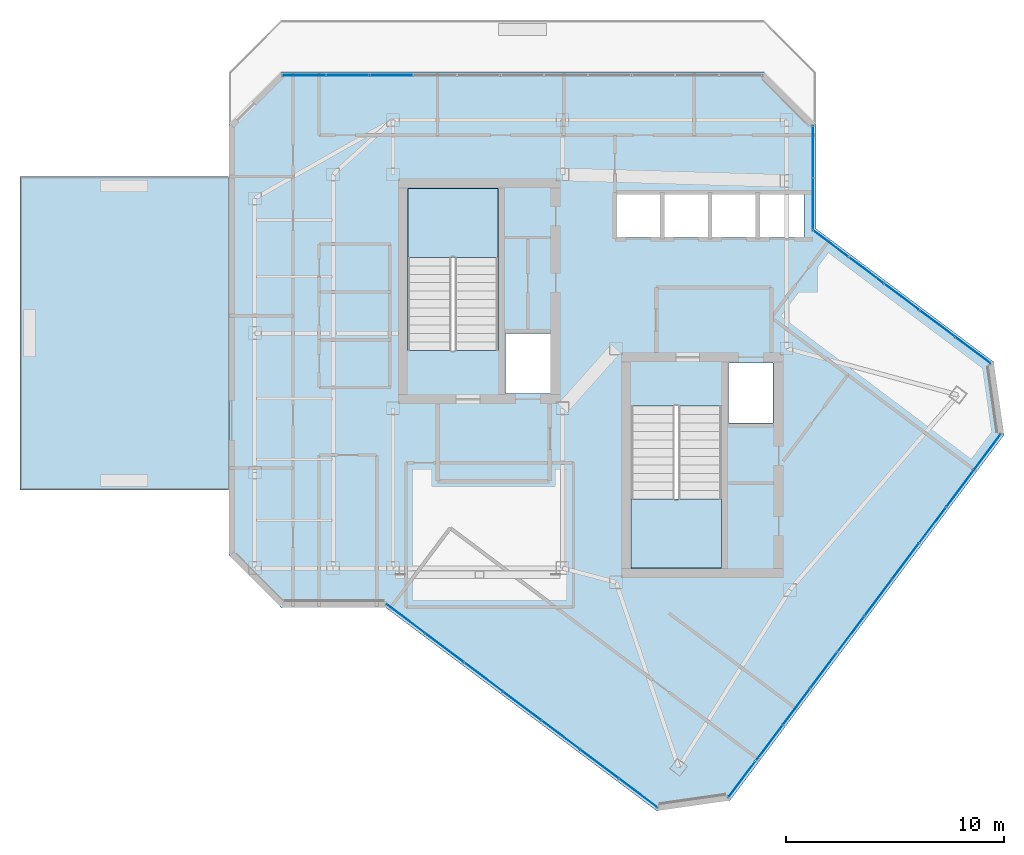
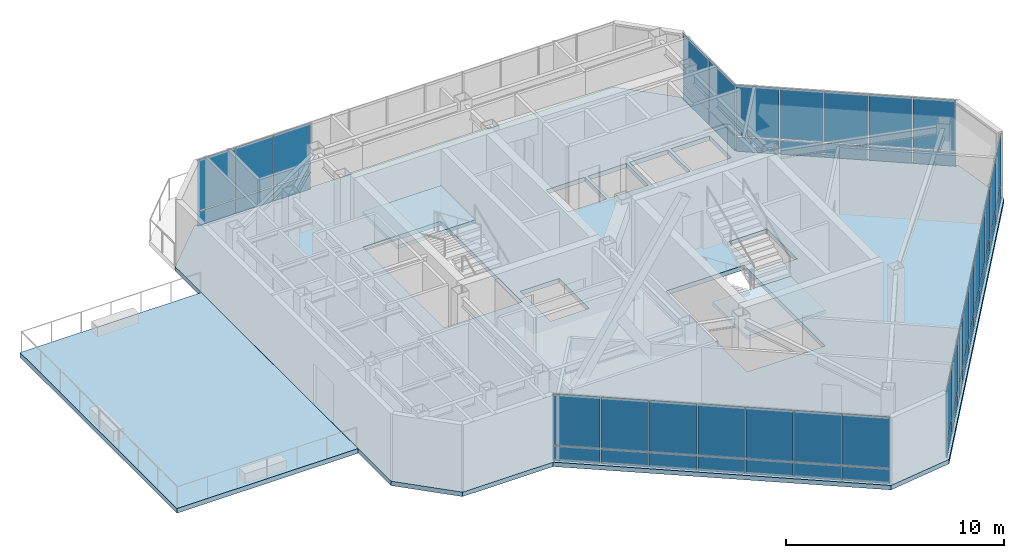
# One storey, part 14 of 21: 54 plates, 4 slabs, 7 elements without a shape of their own.
"""IFC4 building model written with IfcOpenShell, lengths in metres."""

from ifc_helpers import new_model, si_unit, direction, frame, origin, origin_2d, place, context, subcontext, project, spatial, polyline, rectangle, outline, extrude, material, layer, layer_set, type_object, element, aggregate, save


model = new_model("IFC4")

# Units and contexts
model_context = context("Model", 3, precision=1e-05, world=origin(), true_north=direction((0.0, 1.0)))
body_context = subcontext(model_context, "Body", "Model", "MODEL_VIEW")
ifc_project = project(units=[si_unit("LENGTHUNIT", "METRE"), si_unit("AREAUNIT", "SQUARE_METRE"), si_unit("VOLUMEUNIT", "CUBIC_METRE"), si_unit("PLANEANGLEUNIT", "RADIAN"), si_unit("MASSUNIT", "GRAM", prefix="KILO")], contexts=[model_context])

# Site, building, storey
site_placement = place(None, origin())
site = spatial("IfcSite", under=ifc_project, at=site_placement, CompositionType="ELEMENT")
building_placement = place(site_placement, origin())
building = spatial("IfcBuilding", under=site, at=building_placement, Name="Hatsunagi Terrace Concourse", CompositionType="ELEMENT")
storey_placement = place(building_placement, frame((0.0, 0.0, 265.949951171875)))
storey = spatial("IfcBuildingStorey", under=building, at=storey_placement, Name="L70", CompositionType="ELEMENT", Elevation=265.949951171875)

# Curtain wall, plates
ifc_material_1 = material(Name="Anodised Aluminium Alloy 6063-T5", Category="aluminium")
ifc_layer_1 = layer(ifc_material_1, 0.199951171875)
ifc_layer_set_1 = layer_set([ifc_layer_1], Name="CrownWintergarden_CW06")
curtain_wall_type = type_object("IfcCurtainWallType", Name="CrownWintergarden_CW06", PredefinedType="NOTDEFINED", material=ifc_layer_set_1)
curtain_wall_1_placement = place(storey_placement, origin())
curtain_wall_1 = element("IfcCurtainWall", 1, at=curtain_wall_1_placement, inside=storey, type_object=curtain_wall_type, Name="Unitised Curtain Wall CW-06 CW-L70-01", PredefinedType="NOTDEFINED")
ifc_material_2 = material(Name="Warm Terracotta Ceramic Spandrel Panel", Category="masonry")
ifc_layer_2 = layer(ifc_material_2, 0.031982421875)
ifc_layer_set_2 = layer_set([ifc_layer_2], Name="CurtainWallSpandrelPanel_32")
plate_type_1 = type_object("IfcPlateType", Name="CurtainWallSpandrelPanel_32", PredefinedType="SHEET", material=ifc_layer_set_2)
plate_1_placement = place(storey_placement, frame((45.677001953125, 40.116943359375, 0.030029296875), z_axis=(0.0, 0.0, 1.0), x_axis=(0.800023013105, -0.599969314634, 0.0)))
plate_1 = element("IfcPlate", 2, at=plate_1_placement, type_object=plate_type_1, Name="Terracotta Spandrel Panel SPN-01", PredefinedType="SHEET", context=body_context, shape_type="SweptSolid", body=[
    extrude(rectangle(XDim=1.987060546875, YDim=0.031982421875, at=origin_2d()), origin(), (0.0, 0.0, 1.0), 0.7900390625),
])
plate_2_placement = place(storey_placement, frame((47.31103515625, 38.89208984375, 0.030029296875), z_axis=(0.0, 0.0, 1.0), x_axis=(0.800023013105, -0.599969314634, 0.0)))
plate_2 = element("IfcPlate", 3, at=plate_2_placement, type_object=plate_type_1, Name="Terracotta Spandrel Panel SPN-01", PredefinedType="SHEET", context=body_context, shape_type="SweptSolid", body=[
    extrude(rectangle(XDim=1.987060546875, YDim=0.031982421875, at=origin_2d()), origin(), (0.0, 0.0, 1.0), 0.7900390625),
])
plate_3_placement = place(storey_placement, frame((48.945068359375, 37.666015625, 0.030029296875), z_axis=(0.0, 0.0, 1.0), x_axis=(0.800023013105, -0.599969314634, 0.0)))
plate_3 = element("IfcPlate", 4, at=plate_3_placement, type_object=plate_type_1, Name="Terracotta Spandrel Panel SPN-01", PredefinedType="SHEET", context=body_context, shape_type="SweptSolid", body=[
    extrude(rectangle(XDim=1.987060546875, YDim=0.031982421875, at=origin_2d()), origin(), (0.0, 0.0, 1.0), 0.7900390625),
])
plate_4_placement = place(storey_placement, frame((50.5791015625, 36.44091796875, 0.030029296875), z_axis=(0.0, 0.0, 1.0), x_axis=(0.800023013105, -0.599969314634, 0.0)))
plate_4 = element("IfcPlate", 5, at=plate_4_placement, type_object=plate_type_1, Name="Terracotta Spandrel Panel SPN-01", PredefinedType="SHEET", context=body_context, shape_type="SweptSolid", body=[
    extrude(rectangle(XDim=1.987060546875, YDim=0.031982421875, at=origin_2d()), origin(), (0.0, 0.0, 1.0), 0.7900390625),
])
plate_5_placement = place(storey_placement, frame((52.212890625, 35.216064453125, 0.030029296875), z_axis=(0.0, 0.0, 1.0), x_axis=(0.800023013105, -0.599969314634, 0.0)))
plate_5 = element("IfcPlate", 6, at=plate_5_placement, type_object=plate_type_1, Name="Terracotta Spandrel Panel SPN-01", PredefinedType="SHEET", context=body_context, shape_type="SweptSolid", body=[
    extrude(rectangle(XDim=1.987060546875, YDim=0.031982421875, at=origin_2d()), origin(), (0.0, 0.0, 1.0), 0.7900390625),
])

curtain_wall_2_placement = place(storey_placement, origin())
curtain_wall_2 = element("IfcCurtainWall", 7, at=curtain_wall_2_placement, inside=storey, type_object=curtain_wall_type, Name="Unitised Curtain Wall CW-06 CW-L70-03", PredefinedType="NOTDEFINED")
plate_6_placement = place(storey_placement, frame((52.866943359375, 30.52294921875, 0.030029296875), z_axis=(0.0, 0.0, 1.0), x_axis=(-0.599969314634, -0.800023013105, 0.0)))
plate_6 = element("IfcPlate", 8, at=plate_6_placement, type_object=plate_type_1, Name="Terracotta Spandrel Panel SPN-01", PredefinedType="SHEET", context=body_context, shape_type="SweptSolid", body=[
    extrude(rectangle(XDim=2.032958984375, YDim=0.031982421875, at=origin_2d()), origin(), (0.0, 0.0, 1.0), 0.7900390625),
])
plate_7_placement = place(storey_placement, frame((51.614013671875, 28.85205078125, 0.030029296875), z_axis=(0.0, 0.0, 1.0), x_axis=(-0.599969314634, -0.800023013105, 0.0)))
plate_7 = element("IfcPlate", 9, at=plate_7_placement, type_object=plate_type_1, Name="Terracotta Spandrel Panel SPN-01", PredefinedType="SHEET", context=body_context, shape_type="SweptSolid", body=[
    extrude(rectangle(XDim=2.032958984375, YDim=0.031982421875, at=origin_2d()), origin(), (0.0, 0.0, 1.0), 0.7900390625),
])
plate_8_placement = place(storey_placement, frame((50.361083984375, 27.180908203125, 0.030029296875), z_axis=(0.0, 0.0, 1.0), x_axis=(-0.599969314634, -0.800023013105, 0.0)))
plate_8 = element("IfcPlate", 10, at=plate_8_placement, type_object=plate_type_1, Name="Terracotta Spandrel Panel SPN-01", PredefinedType="SHEET", context=body_context, shape_type="SweptSolid", body=[
    extrude(rectangle(XDim=2.032958984375, YDim=0.031982421875, at=origin_2d()), origin(), (0.0, 0.0, 1.0), 0.7900390625),
])
plate_9_placement = place(storey_placement, frame((49.10791015625, 25.510009765625, 0.030029296875), z_axis=(0.0, 0.0, 1.0), x_axis=(-0.599969314634, -0.800023013105, 0.0)))
plate_9 = element("IfcPlate", 11, at=plate_9_placement, type_object=plate_type_1, Name="Terracotta Spandrel Panel SPN-01", PredefinedType="SHEET", context=body_context, shape_type="SweptSolid", body=[
    extrude(rectangle(XDim=2.032958984375, YDim=0.031982421875, at=origin_2d()), origin(), (0.0, 0.0, 1.0), 0.7900390625),
])
plate_10_placement = place(storey_placement, frame((47.85498046875, 23.839111328125, 0.030029296875), z_axis=(0.0, 0.0, 1.0), x_axis=(-0.599969314634, -0.800023013105, 0.0)))
plate_10 = element("IfcPlate", 12, at=plate_10_placement, type_object=plate_type_1, Name="Terracotta Spandrel Panel SPN-01", PredefinedType="SHEET", context=body_context, shape_type="SweptSolid", body=[
    extrude(rectangle(XDim=2.032958984375, YDim=0.031982421875, at=origin_2d()), origin(), (0.0, 0.0, 1.0), 0.7900390625),
])
plate_11_placement = place(storey_placement, frame((46.60205078125, 22.1689453125, 0.030029296875), z_axis=(0.0, 0.0, 1.0), x_axis=(-0.599969314634, -0.800023013105, 0.0)))
plate_11 = element("IfcPlate", 13, at=plate_11_placement, type_object=plate_type_1, Name="Terracotta Spandrel Panel SPN-01", PredefinedType="SHEET", context=body_context, shape_type="SweptSolid", body=[
    extrude(rectangle(XDim=2.032958984375, YDim=0.031982421875, at=origin_2d()), origin(), (0.0, 0.0, 1.0), 0.7900390625),
])
plate_12_placement = place(storey_placement, frame((45.34912109375, 20.498046875, 0.030029296875), z_axis=(0.0, 0.0, 1.0), x_axis=(-0.599969314634, -0.800023013105, 0.0)))
plate_12 = element("IfcPlate", 14, at=plate_12_placement, type_object=plate_type_1, Name="Terracotta Spandrel Panel SPN-01", PredefinedType="SHEET", context=body_context, shape_type="SweptSolid", body=[
    extrude(rectangle(XDim=2.032958984375, YDim=0.031982421875, at=origin_2d()), origin(), (0.0, 0.0, 1.0), 0.7900390625),
])
plate_13_placement = place(storey_placement, frame((44.095947265625, 18.826904296875, 0.030029296875), z_axis=(0.0, 0.0, 1.0), x_axis=(-0.599969314634, -0.800023013105, 0.0)))
plate_13 = element("IfcPlate", 15, at=plate_13_placement, type_object=plate_type_1, Name="Terracotta Spandrel Panel SPN-01", PredefinedType="SHEET", context=body_context, shape_type="SweptSolid", body=[
    extrude(rectangle(XDim=2.032958984375, YDim=0.031982421875, at=origin_2d()), origin(), (0.0, 0.0, 1.0), 0.7900390625),
])
plate_14_placement = place(storey_placement, frame((42.843017578125, 17.156005859375, 0.030029296875), z_axis=(0.0, 0.0, 1.0), x_axis=(-0.599969314634, -0.800023013105, 0.0)))
plate_14 = element("IfcPlate", 16, at=plate_14_placement, type_object=plate_type_1, Name="Terracotta Spandrel Panel SPN-01", PredefinedType="SHEET", context=body_context, shape_type="SweptSolid", body=[
    extrude(rectangle(XDim=2.032958984375, YDim=0.031982421875, at=origin_2d()), origin(), (0.0, 0.0, 1.0), 0.7900390625),
])
plate_15_placement = place(storey_placement, frame((41.590087890625, 15.485107421875, 0.030029296875), z_axis=(0.0, 0.0, 1.0), x_axis=(-0.599969314634, -0.800023013105, 0.0)))
plate_15 = element("IfcPlate", 17, at=plate_15_placement, type_object=plate_type_1, Name="Terracotta Spandrel Panel SPN-01", PredefinedType="SHEET", context=body_context, shape_type="SweptSolid", body=[
    extrude(rectangle(XDim=2.032958984375, YDim=0.031982421875, at=origin_2d()), origin(), (0.0, 0.0, 1.0), 0.7900390625),
])

curtain_wall_3_placement = place(storey_placement, origin())
curtain_wall_3 = element("IfcCurtainWall", 18, at=curtain_wall_3_placement, inside=storey, type_object=curtain_wall_type, Name="Unitised Curtain Wall CW-06 CW-L70-05", PredefinedType="NOTDEFINED")
plate_16_placement = place(storey_placement, frame((36.826904296875, 14.85498046875, 0.030029296875), z_axis=(0.0, 0.0, 1.0), x_axis=(-0.800007305671, 0.599990258982, 0.0)))
plate_16 = element("IfcPlate", 19, at=plate_16_placement, type_object=plate_type_1, Name="Terracotta Spandrel Panel SPN-01", PredefinedType="SHEET", context=body_context, shape_type="SweptSolid", body=[
    extrude(rectangle(XDim=2.172119140625, YDim=0.031982421875, at=origin_2d()), origin(), (0.0, 0.0, 1.0), 0.7900390625),
])
plate_17_placement = place(storey_placement, frame((35.0458984375, 16.19091796875, 0.030029296875), z_axis=(0.0, 0.0, 1.0), x_axis=(-0.800007305671, 0.599990258982, 0.0)))
plate_17 = element("IfcPlate", 20, at=plate_17_placement, type_object=plate_type_1, Name="Terracotta Spandrel Panel SPN-01", PredefinedType="SHEET", context=body_context, shape_type="SweptSolid", body=[
    extrude(rectangle(XDim=2.172119140625, YDim=0.031982421875, at=origin_2d()), origin(), (0.0, 0.0, 1.0), 0.7900390625),
])
plate_18_placement = place(storey_placement, frame((33.263916015625, 17.527099609375, 0.030029296875), z_axis=(0.0, 0.0, 1.0), x_axis=(-0.800007305671, 0.599990258982, 0.0)))
plate_18 = element("IfcPlate", 21, at=plate_18_placement, type_object=plate_type_1, Name="Terracotta Spandrel Panel SPN-01", PredefinedType="SHEET", context=body_context, shape_type="SweptSolid", body=[
    extrude(rectangle(XDim=2.172119140625, YDim=0.031982421875, at=origin_2d()), origin(), (0.0, 0.0, 1.0), 0.7900390625),
])
plate_19_placement = place(storey_placement, frame((31.48291015625, 18.863037109375, 0.030029296875), z_axis=(0.0, 0.0, 1.0), x_axis=(-0.800007305671, 0.599990258982, 0.0)))
plate_19 = element("IfcPlate", 22, at=plate_19_placement, type_object=plate_type_1, Name="Terracotta Spandrel Panel SPN-01", PredefinedType="SHEET", context=body_context, shape_type="SweptSolid", body=[
    extrude(rectangle(XDim=2.172119140625, YDim=0.031982421875, at=origin_2d()), origin(), (0.0, 0.0, 1.0), 0.7900390625),
])
plate_20_placement = place(storey_placement, frame((29.700927734375, 20.199951171875, 0.030029296875), z_axis=(0.0, 0.0, 1.0), x_axis=(-0.800007305671, 0.599990258982, 0.0)))
plate_20 = element("IfcPlate", 23, at=plate_20_placement, type_object=plate_type_1, Name="Terracotta Spandrel Panel SPN-01", PredefinedType="SHEET", context=body_context, shape_type="SweptSolid", body=[
    extrude(rectangle(XDim=2.172119140625, YDim=0.031982421875, at=origin_2d()), origin(), (0.0, 0.0, 1.0), 0.7900390625),
])
plate_21_placement = place(storey_placement, frame((27.9189453125, 21.535888671875, 0.030029296875), z_axis=(0.0, 0.0, 1.0), x_axis=(-0.800007305671, 0.599990258982, 0.0)))
plate_21 = element("IfcPlate", 24, at=plate_21_placement, type_object=plate_type_1, Name="Terracotta Spandrel Panel SPN-01", PredefinedType="SHEET", context=body_context, shape_type="SweptSolid", body=[
    extrude(rectangle(XDim=2.172119140625, YDim=0.031982421875, at=origin_2d()), origin(), (0.0, 0.0, 1.0), 0.7900390625),
])
plate_22_placement = place(storey_placement, frame((26.137939453125, 22.8720703125, 0.030029296875), z_axis=(0.0, 0.0, 1.0), x_axis=(-0.800007305671, 0.599990258982, 0.0)))
plate_22 = element("IfcPlate", 25, at=plate_22_placement, type_object=plate_type_1, Name="Terracotta Spandrel Panel SPN-01", PredefinedType="SHEET", context=body_context, shape_type="SweptSolid", body=[
    extrude(rectangle(XDim=2.172119140625, YDim=0.031982421875, at=origin_2d()), origin(), (0.0, 0.0, 1.0), 0.7900390625),
])

curtain_wall_4_placement = place(storey_placement, origin())
curtain_wall_4 = element("IfcCurtainWall", 26, at=curtain_wall_4_placement, inside=storey, type_object=curtain_wall_type, Name="Unitised Curtain Wall CW-06 CW-L70-10", PredefinedType="NOTDEFINED")
plate_23_placement = place(storey_placement, frame((21.4619140625, 47.860107421875, 0.030029296875), z_axis=(0.0, 0.0, 1.0), x_axis=(1.0, 0.0, 0.0)))
plate_23 = element("IfcPlate", 27, at=plate_23_placement, type_object=plate_type_1, Name="Terracotta Spandrel Panel SPN-01", PredefinedType="SHEET", context=body_context, shape_type="SweptSolid", body=[
    extrude(rectangle(XDim=1.952880859375, YDim=0.031982421875, at=origin_2d()), origin(), (0.0, 0.0, 1.0), 0.7900390625),
])
plate_24_placement = place(storey_placement, frame((23.468994140625, 47.860107421875, 0.030029296875), z_axis=(0.0, 0.0, 1.0), x_axis=(1.0, 0.0, 0.0)))
plate_24 = element("IfcPlate", 28, at=plate_24_placement, type_object=plate_type_1, Name="Terracotta Spandrel Panel SPN-01", PredefinedType="SHEET", context=body_context, shape_type="SweptSolid", body=[
    extrude(rectangle(XDim=1.952880859375, YDim=0.031982421875, at=origin_2d()), origin(), (0.0, 0.0, 1.0), 0.7900390625),
])
plate_25_placement = place(storey_placement, frame((25.47705078125, 47.860107421875, 0.030029296875), z_axis=(0.0, 0.0, 1.0), x_axis=(1.0, 0.0, 0.0)))
plate_25 = element("IfcPlate", 29, at=plate_25_placement, type_object=plate_type_1, Name="Terracotta Spandrel Panel SPN-01", PredefinedType="SHEET", context=body_context, shape_type="SweptSolid", body=[
    extrude(rectangle(XDim=1.952880859375, YDim=0.031982421875, at=origin_2d()), origin(), (0.0, 0.0, 1.0), 0.7900390625),
])

curtain_wall_5_placement = place(storey_placement, origin())
curtain_wall_5 = element("IfcCurtainWall", 30, at=curtain_wall_5_placement, inside=storey, type_object=curtain_wall_type, Name="Unitised Curtain Wall CW-06 CW-L70-12", PredefinedType="NOTDEFINED")
plate_26_placement = place(storey_placement, frame((44.860107421875, 44.339111328125, 0.030029296875), z_axis=(0.0, 0.0, 1.0), x_axis=(0.0, -1.0, 0.0)))
plate_26 = element("IfcPlate", 31, at=plate_26_placement, type_object=plate_type_1, Name="Terracotta Spandrel Panel SPN-01", PredefinedType="SHEET", context=body_context, shape_type="SweptSolid", body=[
    extrude(rectangle(XDim=2.35107421875, YDim=0.031982421875, at=origin_2d()), origin(), (0.0, 0.0, 1.0), 0.7900390625),
])
plate_27_placement = place(storey_placement, frame((44.860107421875, 41.93310546875, 0.030029296875), z_axis=(0.0, 0.0, 1.0), x_axis=(0.0, -1.0, 0.0)))
plate_27 = element("IfcPlate", 32, at=plate_27_placement, type_object=plate_type_1, Name="Terracotta Spandrel Panel SPN-01", PredefinedType="SHEET", context=body_context, shape_type="SweptSolid", body=[
    extrude(rectangle(XDim=2.35107421875, YDim=0.031982421875, at=origin_2d()), origin(), (0.0, 0.0, 1.0), 0.7900390625),
])

# Plate
ifc_material_3 = material(Name="Low-E Double Insulating Glass 28mm", Category="glass")
ifc_layer_3 = layer(ifc_material_3, 0.028076171875)
ifc_layer_set_3 = layer_set([ifc_layer_3], Name="CurtainWallVisionGlass_28")
plate_type_2 = type_object("IfcPlateType", Name="CurtainWallVisionGlass_28", PredefinedType="CURTAIN_PANEL", material=ifc_layer_set_3)
plate_28_placement = place(storey_placement, frame((45.677001953125, 40.116943359375, 0.8798828125), z_axis=(0.0, 0.0, 1.0), x_axis=(0.800023013105, -0.599969314634, 0.0)))
plate_28 = element("IfcPlate", 33, at=plate_28_placement, type_object=plate_type_2, Name="Low-E Vision Glass Panel GLZ-01", PredefinedType="CURTAIN_PANEL", context=body_context, shape_type="SweptSolid", body=[
    extrude(rectangle(XDim=1.987060546875, YDim=0.028076171875, at=origin_2d()), origin(), (0.0, 0.0, 1.0), 2.840087890625),
])

plate_29_placement = place(storey_placement, frame((47.31103515625, 38.89208984375, 0.8798828125), z_axis=(0.0, 0.0, 1.0), x_axis=(0.800023013105, -0.599969314634, 0.0)))
plate_29 = element("IfcPlate", 34, at=plate_29_placement, type_object=plate_type_2, Name="Low-E Vision Glass Panel GLZ-01", PredefinedType="CURTAIN_PANEL", context=body_context, shape_type="SweptSolid", body=[
    extrude(rectangle(XDim=1.987060546875, YDim=0.028076171875, at=origin_2d()), origin(), (0.0, 0.0, 1.0), 2.840087890625),
])

plate_30_placement = place(storey_placement, frame((48.945068359375, 37.666015625, 0.8798828125), z_axis=(0.0, 0.0, 1.0), x_axis=(0.800023013105, -0.599969314634, 0.0)))
plate_30 = element("IfcPlate", 35, at=plate_30_placement, type_object=plate_type_2, Name="Low-E Vision Glass Panel GLZ-01", PredefinedType="CURTAIN_PANEL", context=body_context, shape_type="SweptSolid", body=[
    extrude(rectangle(XDim=1.987060546875, YDim=0.028076171875, at=origin_2d()), origin(), (0.0, 0.0, 1.0), 2.840087890625),
])

plate_31_placement = place(storey_placement, frame((50.5791015625, 36.44091796875, 0.8798828125), z_axis=(0.0, 0.0, 1.0), x_axis=(0.800023013105, -0.599969314634, 0.0)))
plate_31 = element("IfcPlate", 36, at=plate_31_placement, type_object=plate_type_2, Name="Low-E Vision Glass Panel GLZ-01", PredefinedType="CURTAIN_PANEL", context=body_context, shape_type="SweptSolid", body=[
    extrude(rectangle(XDim=1.987060546875, YDim=0.028076171875, at=origin_2d()), origin(), (0.0, 0.0, 1.0), 2.840087890625),
])

plate_32_placement = place(storey_placement, frame((52.212890625, 35.216064453125, 0.8798828125), z_axis=(0.0, 0.0, 1.0), x_axis=(0.800023013105, -0.599969314634, 0.0)))
plate_32 = element("IfcPlate", 37, at=plate_32_placement, type_object=plate_type_2, Name="Low-E Vision Glass Panel GLZ-01", PredefinedType="CURTAIN_PANEL", context=body_context, shape_type="SweptSolid", body=[
    extrude(rectangle(XDim=1.987060546875, YDim=0.028076171875, at=origin_2d()), origin(), (0.0, 0.0, 1.0), 2.840087890625),
])

aggregate(curtain_wall_1, [plate_1, plate_28, plate_2, plate_29, plate_3, plate_30, plate_4, plate_31, plate_5, plate_32])

plate_33_placement = place(storey_placement, frame((52.866943359375, 30.52294921875, 0.8798828125), z_axis=(0.0, 0.0, 1.0), x_axis=(-0.599969314634, -0.800023013105, 0.0)))
plate_33 = element("IfcPlate", 38, at=plate_33_placement, type_object=plate_type_2, Name="Low-E Vision Glass Panel GLZ-01", PredefinedType="CURTAIN_PANEL", context=body_context, shape_type="SweptSolid", body=[
    extrude(rectangle(XDim=2.032958984375, YDim=0.028076171875, at=origin_2d()), origin(), (0.0, 0.0, 1.0), 2.840087890625),
])

plate_34_placement = place(storey_placement, frame((51.614013671875, 28.85205078125, 0.8798828125), z_axis=(0.0, 0.0, 1.0), x_axis=(-0.599969314634, -0.800023013105, 0.0)))
plate_34 = element("IfcPlate", 39, at=plate_34_placement, type_object=plate_type_2, Name="Low-E Vision Glass Panel GLZ-01", PredefinedType="CURTAIN_PANEL", context=body_context, shape_type="SweptSolid", body=[
    extrude(rectangle(XDim=2.032958984375, YDim=0.028076171875, at=origin_2d()), origin(), (0.0, 0.0, 1.0), 2.840087890625),
])

plate_35_placement = place(storey_placement, frame((50.361083984375, 27.180908203125, 0.8798828125), z_axis=(0.0, 0.0, 1.0), x_axis=(-0.599969314634, -0.800023013105, 0.0)))
plate_35 = element("IfcPlate", 40, at=plate_35_placement, type_object=plate_type_2, Name="Low-E Vision Glass Panel GLZ-01", PredefinedType="CURTAIN_PANEL", context=body_context, shape_type="SweptSolid", body=[
    extrude(rectangle(XDim=2.032958984375, YDim=0.028076171875, at=origin_2d()), origin(), (0.0, 0.0, 1.0), 2.840087890625),
])

plate_36_placement = place(storey_placement, frame((49.10791015625, 25.510009765625, 0.8798828125), z_axis=(0.0, 0.0, 1.0), x_axis=(-0.599969314634, -0.800023013105, 0.0)))
plate_36 = element("IfcPlate", 41, at=plate_36_placement, type_object=plate_type_2, Name="Low-E Vision Glass Panel GLZ-01", PredefinedType="CURTAIN_PANEL", context=body_context, shape_type="SweptSolid", body=[
    extrude(rectangle(XDim=2.032958984375, YDim=0.028076171875, at=origin_2d()), origin(), (0.0, 0.0, 1.0), 2.840087890625),
])

plate_37_placement = place(storey_placement, frame((47.85498046875, 23.839111328125, 0.8798828125), z_axis=(0.0, 0.0, 1.0), x_axis=(-0.599969314634, -0.800023013105, 0.0)))
plate_37 = element("IfcPlate", 42, at=plate_37_placement, type_object=plate_type_2, Name="Low-E Vision Glass Panel GLZ-01", PredefinedType="CURTAIN_PANEL", context=body_context, shape_type="SweptSolid", body=[
    extrude(rectangle(XDim=2.032958984375, YDim=0.028076171875, at=origin_2d()), origin(), (0.0, 0.0, 1.0), 2.840087890625),
])

plate_38_placement = place(storey_placement, frame((46.60205078125, 22.1689453125, 0.8798828125), z_axis=(0.0, 0.0, 1.0), x_axis=(-0.599969314634, -0.800023013105, 0.0)))
plate_38 = element("IfcPlate", 43, at=plate_38_placement, type_object=plate_type_2, Name="Low-E Vision Glass Panel GLZ-01", PredefinedType="CURTAIN_PANEL", context=body_context, shape_type="SweptSolid", body=[
    extrude(rectangle(XDim=2.032958984375, YDim=0.028076171875, at=origin_2d()), origin(), (0.0, 0.0, 1.0), 2.840087890625),
])

plate_39_placement = place(storey_placement, frame((45.34912109375, 20.498046875, 0.8798828125), z_axis=(0.0, 0.0, 1.0), x_axis=(-0.599969314634, -0.800023013105, 0.0)))
plate_39 = element("IfcPlate", 44, at=plate_39_placement, type_object=plate_type_2, Name="Low-E Vision Glass Panel GLZ-01", PredefinedType="CURTAIN_PANEL", context=body_context, shape_type="SweptSolid", body=[
    extrude(rectangle(XDim=2.032958984375, YDim=0.028076171875, at=origin_2d()), origin(), (0.0, 0.0, 1.0), 2.840087890625),
])

plate_40_placement = place(storey_placement, frame((44.095947265625, 18.826904296875, 0.8798828125), z_axis=(0.0, 0.0, 1.0), x_axis=(-0.599969314634, -0.800023013105, 0.0)))
plate_40 = element("IfcPlate", 45, at=plate_40_placement, type_object=plate_type_2, Name="Low-E Vision Glass Panel GLZ-01", PredefinedType="CURTAIN_PANEL", context=body_context, shape_type="SweptSolid", body=[
    extrude(rectangle(XDim=2.032958984375, YDim=0.028076171875, at=origin_2d()), origin(), (0.0, 0.0, 1.0), 2.840087890625),
])

plate_41_placement = place(storey_placement, frame((42.843017578125, 17.156005859375, 0.8798828125), z_axis=(0.0, 0.0, 1.0), x_axis=(-0.599969314634, -0.800023013105, 0.0)))
plate_41 = element("IfcPlate", 46, at=plate_41_placement, type_object=plate_type_2, Name="Low-E Vision Glass Panel GLZ-01", PredefinedType="CURTAIN_PANEL", context=body_context, shape_type="SweptSolid", body=[
    extrude(rectangle(XDim=2.032958984375, YDim=0.028076171875, at=origin_2d()), origin(), (0.0, 0.0, 1.0), 2.840087890625),
])

plate_42_placement = place(storey_placement, frame((41.590087890625, 15.485107421875, 0.8798828125), z_axis=(0.0, 0.0, 1.0), x_axis=(-0.599969314634, -0.800023013105, 0.0)))
plate_42 = element("IfcPlate", 47, at=plate_42_placement, type_object=plate_type_2, Name="Low-E Vision Glass Panel GLZ-01", PredefinedType="CURTAIN_PANEL", context=body_context, shape_type="SweptSolid", body=[
    extrude(rectangle(XDim=2.032958984375, YDim=0.028076171875, at=origin_2d()), origin(), (0.0, 0.0, 1.0), 2.840087890625),
])

aggregate(curtain_wall_2, [plate_6, plate_33, plate_7, plate_34, plate_8, plate_35, plate_9, plate_36, plate_10, plate_37, plate_11, plate_38, plate_12, plate_39, plate_13, plate_40, plate_14, plate_41, plate_15, plate_42])

plate_43_placement = place(storey_placement, frame((36.826904296875, 14.85498046875, 0.8798828125), z_axis=(0.0, 0.0, 1.0), x_axis=(-0.800007305671, 0.599990258982, 0.0)))
plate_43 = element("IfcPlate", 48, at=plate_43_placement, type_object=plate_type_2, Name="Low-E Vision Glass Panel GLZ-01", PredefinedType="CURTAIN_PANEL", context=body_context, shape_type="SweptSolid", body=[
    extrude(rectangle(XDim=2.172119140625, YDim=0.028076171875, at=origin_2d()), origin(), (0.0, 0.0, 1.0), 2.840087890625),
])

plate_44_placement = place(storey_placement, frame((35.0458984375, 16.19091796875, 0.8798828125), z_axis=(0.0, 0.0, 1.0), x_axis=(-0.800007305671, 0.599990258982, 0.0)))
plate_44 = element("IfcPlate", 49, at=plate_44_placement, type_object=plate_type_2, Name="Low-E Vision Glass Panel GLZ-01", PredefinedType="CURTAIN_PANEL", context=body_context, shape_type="SweptSolid", body=[
    extrude(rectangle(XDim=2.172119140625, YDim=0.028076171875, at=origin_2d()), origin(), (0.0, 0.0, 1.0), 2.840087890625),
])

plate_45_placement = place(storey_placement, frame((33.263916015625, 17.527099609375, 0.8798828125), z_axis=(0.0, 0.0, 1.0), x_axis=(-0.800007305671, 0.599990258982, 0.0)))
plate_45 = element("IfcPlate", 50, at=plate_45_placement, type_object=plate_type_2, Name="Low-E Vision Glass Panel GLZ-01", PredefinedType="CURTAIN_PANEL", context=body_context, shape_type="SweptSolid", body=[
    extrude(rectangle(XDim=2.172119140625, YDim=0.028076171875, at=origin_2d()), origin(), (0.0, 0.0, 1.0), 2.840087890625),
])

plate_46_placement = place(storey_placement, frame((31.48291015625, 18.863037109375, 0.8798828125), z_axis=(0.0, 0.0, 1.0), x_axis=(-0.800007305671, 0.599990258982, 0.0)))
plate_46 = element("IfcPlate", 51, at=plate_46_placement, type_object=plate_type_2, Name="Low-E Vision Glass Panel GLZ-01", PredefinedType="CURTAIN_PANEL", context=body_context, shape_type="SweptSolid", body=[
    extrude(rectangle(XDim=2.172119140625, YDim=0.028076171875, at=origin_2d()), origin(), (0.0, 0.0, 1.0), 2.840087890625),
])

plate_47_placement = place(storey_placement, frame((29.700927734375, 20.199951171875, 0.8798828125), z_axis=(0.0, 0.0, 1.0), x_axis=(-0.800007305671, 0.599990258982, 0.0)))
plate_47 = element("IfcPlate", 52, at=plate_47_placement, type_object=plate_type_2, Name="Low-E Vision Glass Panel GLZ-01", PredefinedType="CURTAIN_PANEL", context=body_context, shape_type="SweptSolid", body=[
    extrude(rectangle(XDim=2.172119140625, YDim=0.028076171875, at=origin_2d()), origin(), (0.0, 0.0, 1.0), 2.840087890625),
])

plate_48_placement = place(storey_placement, frame((27.9189453125, 21.535888671875, 0.8798828125), z_axis=(0.0, 0.0, 1.0), x_axis=(-0.800007305671, 0.599990258982, 0.0)))
plate_48 = element("IfcPlate", 53, at=plate_48_placement, type_object=plate_type_2, Name="Low-E Vision Glass Panel GLZ-01", PredefinedType="CURTAIN_PANEL", context=body_context, shape_type="SweptSolid", body=[
    extrude(rectangle(XDim=2.172119140625, YDim=0.028076171875, at=origin_2d()), origin(), (0.0, 0.0, 1.0), 2.840087890625),
])

plate_49_placement = place(storey_placement, frame((26.137939453125, 22.8720703125, 0.8798828125), z_axis=(0.0, 0.0, 1.0), x_axis=(-0.800007305671, 0.599990258982, 0.0)))
plate_49 = element("IfcPlate", 54, at=plate_49_placement, type_object=plate_type_2, Name="Low-E Vision Glass Panel GLZ-01", PredefinedType="CURTAIN_PANEL", context=body_context, shape_type="SweptSolid", body=[
    extrude(rectangle(XDim=2.172119140625, YDim=0.028076171875, at=origin_2d()), origin(), (0.0, 0.0, 1.0), 2.840087890625),
])

aggregate(curtain_wall_3, [plate_16, plate_43, plate_17, plate_44, plate_18, plate_45, plate_19, plate_46, plate_20, plate_47, plate_21, plate_48, plate_22, plate_49])

plate_50_placement = place(storey_placement, frame((21.4619140625, 47.860107421875, 0.8798828125), z_axis=(0.0, 0.0, 1.0), x_axis=(1.0, 0.0, 0.0)))
plate_50 = element("IfcPlate", 55, at=plate_50_placement, type_object=plate_type_2, Name="Low-E Vision Glass Panel GLZ-01", PredefinedType="CURTAIN_PANEL", context=body_context, shape_type="SweptSolid", body=[
    extrude(rectangle(XDim=1.952880859375, YDim=0.028076171875, at=origin_2d()), origin(), (0.0, 0.0, 1.0), 2.840087890625),
])

plate_51_placement = place(storey_placement, frame((23.468994140625, 47.860107421875, 0.8798828125), z_axis=(0.0, 0.0, 1.0), x_axis=(1.0, 0.0, 0.0)))
plate_51 = element("IfcPlate", 56, at=plate_51_placement, type_object=plate_type_2, Name="Low-E Vision Glass Panel GLZ-01", PredefinedType="CURTAIN_PANEL", context=body_context, shape_type="SweptSolid", body=[
    extrude(rectangle(XDim=1.952880859375, YDim=0.028076171875, at=origin_2d()), origin(), (0.0, 0.0, 1.0), 2.840087890625),
])

plate_52_placement = place(storey_placement, frame((25.47705078125, 47.860107421875, 0.8798828125), z_axis=(0.0, 0.0, 1.0), x_axis=(1.0, 0.0, 0.0)))
plate_52 = element("IfcPlate", 57, at=plate_52_placement, type_object=plate_type_2, Name="Low-E Vision Glass Panel GLZ-01", PredefinedType="CURTAIN_PANEL", context=body_context, shape_type="SweptSolid", body=[
    extrude(rectangle(XDim=1.952880859375, YDim=0.028076171875, at=origin_2d()), origin(), (0.0, 0.0, 1.0), 2.840087890625),
])

aggregate(curtain_wall_4, [plate_23, plate_50, plate_24, plate_51, plate_25, plate_52])

plate_53_placement = place(storey_placement, frame((44.860107421875, 44.339111328125, 0.8798828125), z_axis=(0.0, 0.0, 1.0), x_axis=(0.0, -1.0, 0.0)))
plate_53 = element("IfcPlate", 58, at=plate_53_placement, type_object=plate_type_2, Name="Low-E Vision Glass Panel GLZ-01", PredefinedType="CURTAIN_PANEL", context=body_context, shape_type="SweptSolid", body=[
    extrude(rectangle(XDim=2.35107421875, YDim=0.028076171875, at=origin_2d()), origin(), (0.0, 0.0, 1.0), 2.840087890625),
])

plate_54_placement = place(storey_placement, frame((44.860107421875, 41.93310546875, 0.8798828125), z_axis=(0.0, 0.0, 1.0), x_axis=(0.0, -1.0, 0.0)))
plate_54 = element("IfcPlate", 59, at=plate_54_placement, type_object=plate_type_2, Name="Low-E Vision Glass Panel GLZ-01", PredefinedType="CURTAIN_PANEL", context=body_context, shape_type="SweptSolid", body=[
    extrude(rectangle(XDim=2.35107421875, YDim=0.028076171875, at=origin_2d()), origin(), (0.0, 0.0, 1.0), 2.840087890625),
])

aggregate(curtain_wall_5, [plate_26, plate_53, plate_27, plate_54])

# Stair, slab
ifc_material_4 = material(Name="Concrete Fc42", Category="concrete")
stair_type = type_object("IfcStairType", Name="DoglegExitStair_Tower2000_24R_167", PredefinedType="HALF_TURN_STAIR", material=ifc_material_4)
stair_1_placement = place(storey_placement, origin())
stair_1 = element("IfcStair", 60, at=stair_1_placement, inside=storey, type_object=stair_type, Name="L70 Core A Protected Exit Stair ST-A", PredefinedType="HALF_TURN_STAIR")
ifc_material_5 = material(Name="Concrete Fc42", Category="concrete")
ifc_layer_4 = layer(ifc_material_5, 0.199951171875)
ifc_layer_set_4 = layer_set([ifc_layer_4], Name="DoglegStairLanding_Tower2000")
slab_type_1 = type_object("IfcSlabType", Name="DoglegStairLanding_Tower2000", PredefinedType="LANDING", material=ifc_layer_set_4)
slab_1_placement = place(storey_placement, frame((0.0, 0.0, 1.800048828125)))
slab_1 = element("IfcSlab", 61, at=slab_1_placement, type_object=slab_type_1, Name="ST-A landing 1", PredefinedType="LANDING", context=body_context, shape_type="SweptSolid", body=[
    extrude(outline(polyline([(30.3798828125, 39.489990234375), (30.3798828125, 42.659912109375), (26.22998046875, 42.659912109375), (26.22998046875, 39.489990234375), (30.3798828125, 39.489990234375)])), origin(), (0.0, 0.0, 1.0), 0.199951171875),
])
aggregate(stair_1, [slab_1])

stair_2_placement = place(storey_placement, origin())
stair_2 = element("IfcStair", 62, at=stair_2_placement, inside=storey, type_object=stair_type, Name="L70 Core B Protected Exit Stair ST-B", PredefinedType="HALF_TURN_STAIR")
slab_2_placement = place(storey_placement, frame((0.0, 0.0, 1.800048828125)))
slab_2 = element("IfcSlab", 63, at=slab_2_placement, type_object=slab_type_1, Name="ST-B landing 1", PredefinedType="LANDING", context=body_context, shape_type="SweptSolid", body=[
    extrude(outline(polyline([(36.5, 28.3701171875), (36.5, 25.199951171875), (40.64990234375, 25.199951171875), (40.64990234375, 28.3701171875), (36.5, 28.3701171875)])), origin(), (0.0, 0.0, 1.0), 0.199951171875),
])
aggregate(stair_2, [slab_2])

# Slabs
ifc_material_6 = material(Name="Concrete Fc42", Category="concrete")
ifc_layer_5 = layer(ifc_material_6, 0.25)
ifc_layer_set_5 = layer_set([ifc_layer_5], Name="OfficeCrownSlab_Fc42_250")
slab_type_2 = type_object("IfcSlabType", Name="OfficeCrownSlab_Fc42_250", PredefinedType="FLOOR", material=ifc_layer_set_5)
slab_3_placement = place(storey_placement, frame((0.0, 0.0, -0.25)))
element("IfcSlab", 64, at=slab_3_placement, inside=storey, type_object=slab_type_2, Name="Floor Slab SL-250 L70", PredefinedType="FLOOR", context=body_context, shape_type="SweptSolid", body=[
    extrude(outline(polyline([(45.0, 40.800048828125), (45.0, 45.60009765625), (42.60009765625, 48.0), (20.39990234375, 48.0), (18.0, 45.60009765625), (18.0, 25.800048828125), (20.39990234375, 23.39990234375), (25.199951171875, 23.39990234375), (37.679931640625, 14.0400390625), (41.0400390625, 14.52001953125), (53.639892578125, 31.320068359375), (53.159912109375, 34.679931640625), (45.0, 40.800048828125)]), holes=[polyline([(26.22998046875, 35.205078125), (30.3798828125, 35.205078125), (30.3798828125, 42.659912109375), (26.22998046875, 42.659912109375), (26.22998046875, 35.205078125)]), polyline([(36.5, 25.199951171875), (40.64990234375, 25.199951171875), (40.64990234375, 32.655029296875), (36.5, 32.655029296875), (36.5, 25.199951171875)]), polyline([(30.719970703125, 33.219970703125), (32.780029296875, 33.219970703125), (32.780029296875, 35.97998046875), (30.719970703125, 35.97998046875), (30.719970703125, 33.219970703125)]), polyline([(40.97998046875, 31.8798828125), (43.02001953125, 31.8798828125), (43.02001953125, 34.639892578125), (40.97998046875, 34.639892578125), (40.97998046875, 31.8798828125)]), polyline([(35.800048828125, 40.39990234375), (37.85009765625, 40.39990234375), (37.85009765625, 42.39990234375), (35.800048828125, 42.39990234375), (35.800048828125, 40.39990234375)]), polyline([(38.0, 40.39990234375), (40.050048828125, 40.39990234375), (40.050048828125, 42.39990234375), (38.0, 42.39990234375), (38.0, 40.39990234375)]), polyline([(40.199951171875, 40.39990234375), (42.25, 40.39990234375), (42.25, 42.39990234375), (40.199951171875, 42.39990234375), (40.199951171875, 40.39990234375)]), polyline([(42.39990234375, 40.39990234375), (44.449951171875, 40.39990234375), (44.449951171875, 42.39990234375), (42.39990234375, 42.39990234375), (42.39990234375, 40.39990234375)])]), origin(), (0.0, 0.0, 1.0), 0.25),
])
ifc_material_7 = material(Name="Concrete Fc42", Category="concrete")
ifc_layer_6 = layer(ifc_material_7, 0.260009765625)
ifc_layer_set_6 = layer_set([ifc_layer_6], Name="SkyGardenTerraceSlab_Fc42_260")
slab_type_3 = type_object("IfcSlabType", Name="SkyGardenTerraceSlab_Fc42_260", PredefinedType="ROOF", material=ifc_layer_set_6)
slab_4_placement = place(storey_placement, frame((0.0, 0.0, -0.25)))
element("IfcSlab", 65, at=slab_4_placement, inside=storey, type_object=slab_type_3, Name="Crown Step Terrace TER-L70-1", PredefinedType="ROOF", context=body_context, shape_type="SweptSolid", body=[
    extrude(outline(polyline([(8.39990234375, 28.800048828125), (17.988037109375, 28.800048828125), (17.988037109375, 43.199951171875), (8.39990234375, 43.199951171875), (8.39990234375, 28.800048828125)])), origin(), (0.0, 0.0, 1.0), 0.260009765625),
])

save(model, "model.ifc")
